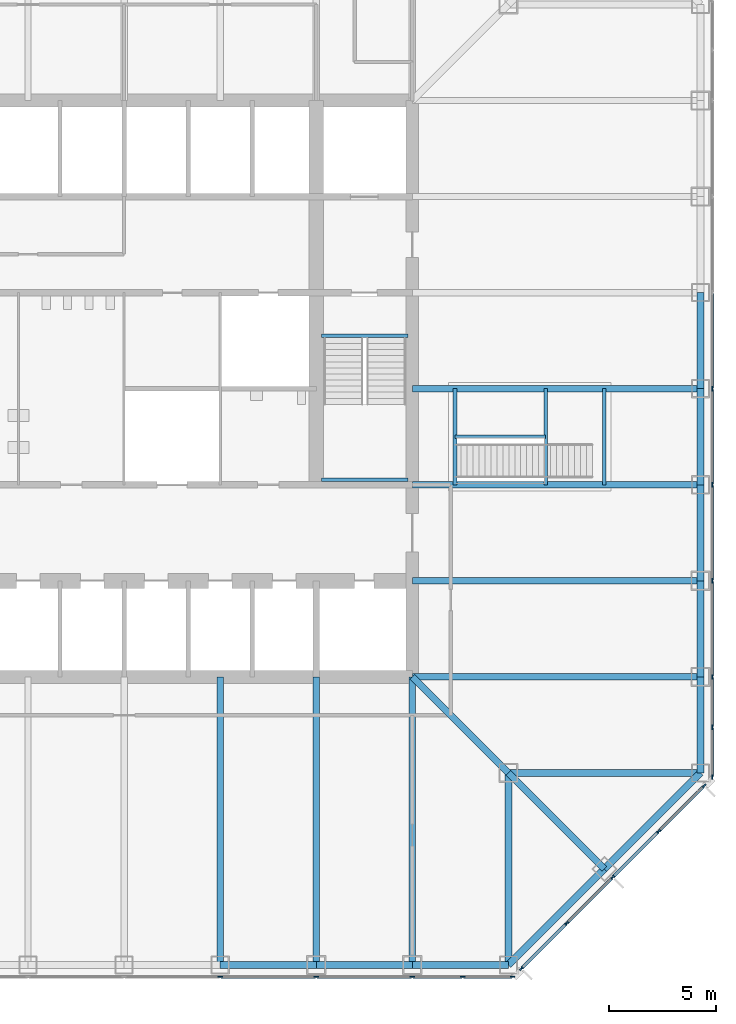
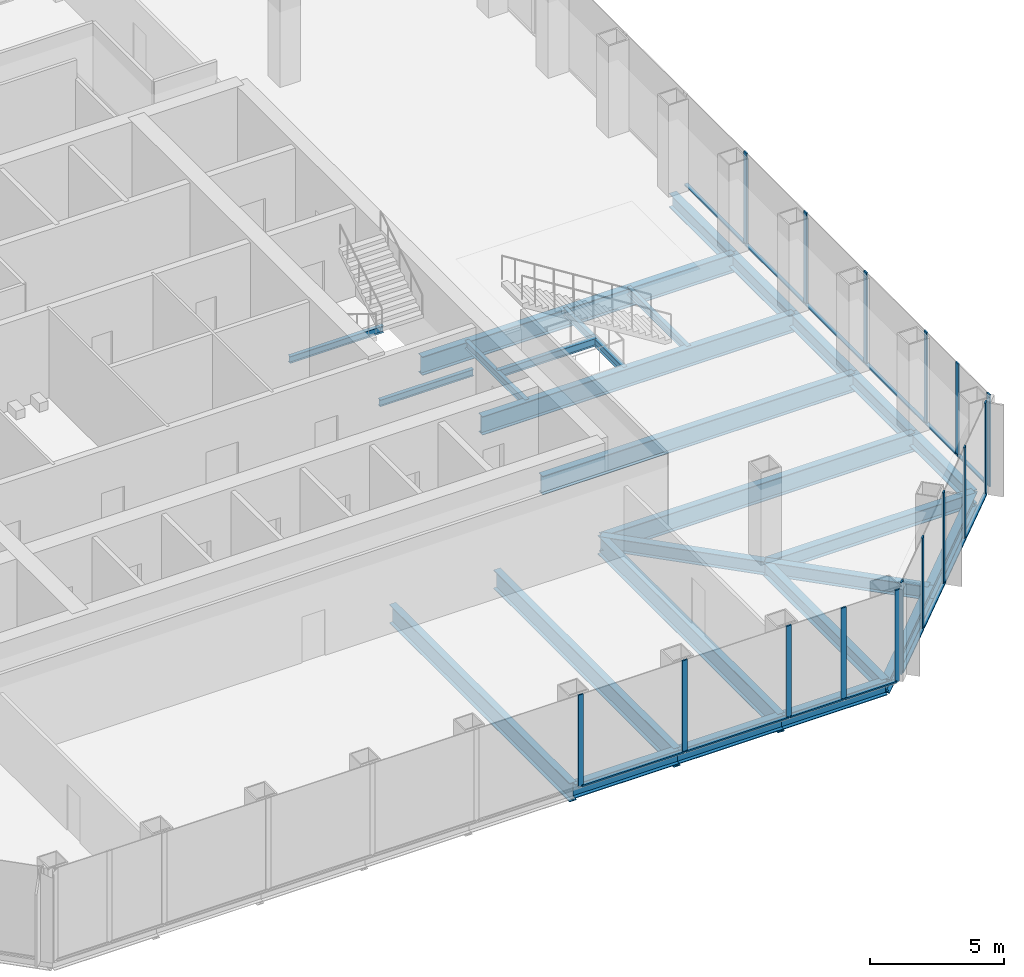
# One storey, part 4 of 12: 30 members, 27 beams, 3 elements without a shape of their own.
"""IFC4 building model written with IfcOpenShell, lengths in metres."""

from ifc_helpers import new_model, si_unit, direction, frame, origin, origin_2d, place, context, subcontext, project, spatial, rectangle, i_section, extrude, material, material_profile, profile_set, type_object, element, aggregate, save


model = new_model("IFC4")

# Units and contexts
model_context = context("Model", 3, precision=1e-05, world=origin(), true_north=direction((0.0, 1.0)))
body_context = subcontext(model_context, "Body", "Model", "MODEL_VIEW")
ifc_project = project(units=[si_unit("LENGTHUNIT", "METRE"), si_unit("AREAUNIT", "SQUARE_METRE"), si_unit("VOLUMEUNIT", "CUBIC_METRE"), si_unit("PLANEANGLEUNIT", "RADIAN"), si_unit("MASSUNIT", "GRAM", prefix="KILO")], contexts=[model_context])

# Site, building, storey
site_placement = place(None, origin())
site = spatial("IfcSite", under=ifc_project, at=site_placement, CompositionType="ELEMENT")
building_placement = place(site_placement, origin())
building = spatial("IfcBuilding", under=site, at=building_placement, Name="Corais Broadcast Tower", CompositionType="ELEMENT")
storey_placement = place(building_placement, frame((0.0, 0.0, 33.199951171875)))
storey = spatial("IfcBuildingStorey", under=building, at=storey_placement, Name="L06", CompositionType="ELEMENT", Elevation=33.199951171875)

# Beams
ifc_material_1 = material(Name="Steel ASTM A572 Grade 50", Category="steel")
ifc_material_profile_1 = material_profile(ifc_material_1, i_section(OverallWidth=0.323974609375, OverallDepth=0.611083984375, WebThickness=0.0126953125, FlangeThickness=0.01904296875, at=origin_2d()), Name="W610x155")
ifc_profile_set_1 = profile_set([ifc_material_profile_1], Name="Steel ASTM A572 Grade 50")
beam_type_1 = type_object("IfcBeamType", Name="Chamfer tie W610x155", PredefinedType="BEAM", material=ifc_profile_set_1)
beam_1_placement = place(storey_placement, frame((49.5, 4.5, -0.46533203125), z_axis=(-0.707106781187, 0.707106781187, 0.0), x_axis=(-0.707106781187, -0.707106781187, 0.0)))
element("IfcBeam", 1, at=beam_1_placement, inside=storey, type_object=beam_type_1, Name="B5 B/14 to C/13", PredefinedType="BEAM", context=body_context, shape_type="SweptSolid", body=[
    extrude(i_section(OverallWidth=0.323974609375, OverallDepth=0.611083984375, WebThickness=0.0126953125, FlangeThickness=0.01904296875, at=origin_2d()), origin(), (0.0, 0.0, 1.0), 6.364013671875),
])
ifc_material_2 = material(Name="Steel ASTM A572 Grade 50", Category="steel")
ifc_material_profile_2 = material_profile(ifc_material_2, i_section(OverallWidth=0.323974609375, OverallDepth=0.611083984375, WebThickness=0.0126953125, FlangeThickness=0.01904296875, at=origin_2d()), Name="W610x155")
ifc_profile_set_2 = profile_set([ifc_material_profile_2], Name="Steel ASTM A572 Grade 50")
beam_type_2 = type_object("IfcBeamType", Name="Corner diagonal W610x155", PredefinedType="BEAM", material=ifc_profile_set_2)
beam_2_placement = place(storey_placement, frame((45.0, 9.0, -0.46533203125), z_axis=(-0.707106781187, 0.707106781187, 0.0), x_axis=(-0.707106781187, -0.707106781187, 0.0)))
element("IfcBeam", 2, at=beam_2_placement, inside=storey, type_object=beam_type_2, Name="B6 C/13 to D/12", PredefinedType="BEAM", context=body_context, shape_type="SweptSolid", body=[
    extrude(i_section(OverallWidth=0.323974609375, OverallDepth=0.611083984375, WebThickness=0.0126953125, FlangeThickness=0.01904296875, at=origin_2d()), origin(), (0.0, 0.0, 1.0), 6.364013671875),
])
ifc_material_3 = material(Name="Steel ASTM A572 Grade 50", Category="steel")
ifc_material_profile_3 = material_profile(ifc_material_3, i_section(OverallWidth=0.323974609375, OverallDepth=0.611083984375, WebThickness=0.0126953125, FlangeThickness=0.01904296875, at=origin_2d()), Name="W610x155")
ifc_profile_set_3 = profile_set([ifc_material_profile_3], Name="Steel ASTM A572 Grade 50")
beam_type_3 = type_object("IfcBeamType", Name="Corner girder W610x155", PredefinedType="BEAM", material=ifc_profile_set_3)
for number, where, z_axis, x_axis, name in (
    (3, (45.0, 0.0, -0.46533203125), (0.0, 1.0, 0.0), (-1.0, 0.0, 0.0), "B4 A/13 to C/13"),
    (4, (54.0, 9.0, -0.46533203125), (-1.0, 0.0, 0.0), (0.0, -1.0, 0.0), "B4 C/15 to C/13"),
):
    element("IfcBeam", number, at=place(storey_placement, frame(where, z_axis=z_axis, x_axis=x_axis)), inside=storey, type_object=beam_type_3, Name=name, PredefinedType="BEAM", context=body_context, shape_type="SweptSolid", body=[
        extrude(i_section(OverallWidth=0.323974609375, OverallDepth=0.611083984375, WebThickness=0.0126953125, FlangeThickness=0.01904296875, at=origin_2d()), origin(), (0.0, 0.0, 1.0), 9.0),
    ])
ifc_material_4 = material(Name="Steel ASTM A572 Grade 50", Category="steel")
ifc_material_profile_4 = material_profile(ifc_material_4, i_section(OverallWidth=0.2939453125, OverallDepth=0.85107421875, WebThickness=0.01611328125, FlangeThickness=0.02685546875, at=origin_2d()), Name="W840x226")
ifc_profile_set_4 = profile_set([ifc_material_profile_4], Name="Steel ASTM A572 Grade 50")
beam_type_4 = type_object("IfcBeamType", Name="Floor beam W840x226", PredefinedType="BEAM", material=ifc_profile_set_4)
for number, where, z_axis, x_axis, name in (
    (5, (31.5, 0.0, -0.58544921875), (0.0, 1.0, 0.0), (-1.0, 0.0, 0.0), "B1 A/10 to D/10"),
    (6, (36.0, 0.0, -0.58544921875), (0.0, 1.0, 0.0), (-1.0, 0.0, 0.0), "B1 A/11 to D/11"),
    (7, (40.5, 0.0, -0.58544921875), (0.0, 1.0, 0.0), (-1.0, 0.0, 0.0), "B1 A/12 to D/12"),
    (8, (54.0, 13.5, -0.58544921875), (-1.0, 0.0, 0.0), (0.0, -1.0, 0.0), "B1 D/15 to D/12"),
    (9, (54.0, 18.0, -0.58544921875), (-1.0, 0.0, 0.0), (0.0, -1.0, 0.0), "B1 E/15 to E/12"),
    (10, (54.0, 22.5, -0.58544921875), (-1.0, 0.0, 0.0), (0.0, -1.0, 0.0), "B1 F/15 to F/12"),
    (11, (54.0, 27.0, -0.58544921875), (-1.0, 0.0, 0.0), (0.0, -1.0, 0.0), "B1 G/15 to G/12"),
):
    element("IfcBeam", number, at=place(storey_placement, frame(where, z_axis=z_axis, x_axis=x_axis)), inside=storey, type_object=beam_type_4, Name=name, PredefinedType="BEAM", context=body_context, shape_type="SweptSolid", body=[
        extrude(i_section(OverallWidth=0.2939453125, OverallDepth=0.85107421875, WebThickness=0.01611328125, FlangeThickness=0.02685546875, at=origin_2d()), origin(), (0.0, 0.0, 1.0), 13.5),
    ])
ifc_material_5 = material(Name="Steel ASTM A572 Grade 50", Category="steel")
ifc_material_profile_5 = material_profile(ifc_material_5, i_section(OverallWidth=0.1650390625, OverallDepth=0.31005859375, WebThickness=0.005859375, FlangeThickness=0.009765625, at=origin_2d()), Name="W310x38.7")
ifc_profile_set_5 = profile_set([ifc_material_profile_5], Name="Steel ASTM A572 Grade 50")
beam_type_5 = type_object("IfcBeamType", Name="Landing trimmer W310x38.7", PredefinedType="BEAM", material=ifc_profile_set_5)
for number, where, z_axis, x_axis, name in (
    (12, (36.25, 29.47509765625, -0.35498046875), (1.0, 0.0, 0.0), (0.0, 1.0, 0.0), "LT1 stair B landing trimmer L06"),
    (13, (36.25, 22.739990234375, 1.7451171875), (1.0, 0.0, 0.0), (0.0, 1.0, 0.0), "LT1 stair B half landing trimmer L06"),
):
    element("IfcBeam", number, at=place(storey_placement, frame(where, z_axis=z_axis, x_axis=x_axis)), inside=storey, type_object=beam_type_5, Name=name, PredefinedType="BEAM", context=body_context, shape_type="SweptSolid", body=[
        extrude(i_section(OverallWidth=0.1650390625, OverallDepth=0.31005859375, WebThickness=0.005859375, FlangeThickness=0.009765625, at=origin_2d()), origin(), (0.0, 0.0, 1.0), 4.050048828125),
    ])

# Curtain wall, members
ifc_material_6 = material(Name="Aluminium and glass", Category="aluminium")
curtain_wall_type = type_object("IfcCurtainWallType", Name="Newsroom clear-glass curtain wall CW7", PredefinedType="NOTDEFINED", material=ifc_material_6)
curtain_wall_1_placement = place(storey_placement, origin())
curtain_wall_1 = element("IfcCurtainWall", 14, at=curtain_wall_1_placement, inside=storey, type_object=curtain_wall_type, Name="CW7 curtain wall L06 6", PredefinedType="NOTDEFINED")
ifc_material_7 = material(Name="Aluminium 6063-T6", Category="aluminium")
ifc_material_profile_6 = material_profile(ifc_material_7, rectangle(XDim=0.06494140625, YDim=0.219970703125, at=origin_2d()), Name="Mullion CW7 65x220")
ifc_profile_set_6 = profile_set([ifc_material_profile_6], Name="Aluminium 6063-T6")
member_type_1 = type_object("IfcMemberType", Name="Mullion CW7 65x220", PredefinedType="MULLION", material=ifc_profile_set_6)
member_1_placement = place(storey_placement, frame((54.550048828125, 27.0, 0.0), z_axis=(0.0, 0.0, 1.0), x_axis=(1.0, 0.0, 0.0)))
member_1 = element("IfcMember", 15, at=member_1_placement, type_object=member_type_1, Name="CW7 mullion 6", PredefinedType="MULLION", context=body_context, shape_type="SweptSolid", body=[
    extrude(rectangle(XDim=0.06494140625, YDim=0.219970703125, at=origin_2d()), origin(), (0.0, 0.0, 1.0), 4.199951171875),
])
member_2_placement = place(storey_placement, frame((54.550048828125, 22.5, 0.0), z_axis=(0.0, 0.0, 1.0), x_axis=(1.0, 0.0, 0.0)))
member_2 = element("IfcMember", 16, at=member_2_placement, type_object=member_type_1, Name="CW7 mullion 7", PredefinedType="MULLION", context=body_context, shape_type="SweptSolid", body=[
    extrude(rectangle(XDim=0.06494140625, YDim=0.219970703125, at=origin_2d()), origin(), (0.0, 0.0, 1.0), 4.199951171875),
])
member_3_placement = place(storey_placement, frame((54.550048828125, 18.0, 0.0), z_axis=(0.0, 0.0, 1.0), x_axis=(1.0, 0.0, 0.0)))
member_3 = element("IfcMember", 17, at=member_3_placement, type_object=member_type_1, Name="CW7 mullion 8", PredefinedType="MULLION", context=body_context, shape_type="SweptSolid", body=[
    extrude(rectangle(XDim=0.06494140625, YDim=0.219970703125, at=origin_2d()), origin(), (0.0, 0.0, 1.0), 4.199951171875),
])
member_4_placement = place(storey_placement, frame((54.550048828125, 13.5, 0.0), z_axis=(0.0, 0.0, 1.0), x_axis=(1.0, 0.0, 0.0)))
member_4 = element("IfcMember", 18, at=member_4_placement, type_object=member_type_1, Name="CW7 mullion 9", PredefinedType="MULLION", context=body_context, shape_type="SweptSolid", body=[
    extrude(rectangle(XDim=0.06494140625, YDim=0.219970703125, at=origin_2d()), origin(), (0.0, 0.0, 1.0), 4.199951171875),
])
member_5_placement = place(storey_placement, frame((54.550048828125, 11.135986328125, 0.0), z_axis=(0.0, 0.0, 1.0), x_axis=(1.0, 0.0, 0.0)))
member_5 = element("IfcMember", 19, at=member_5_placement, type_object=member_type_1, Name="CW7 mullion 10", PredefinedType="MULLION", context=body_context, shape_type="SweptSolid", body=[
    extrude(rectangle(XDim=0.06494140625, YDim=0.219970703125, at=origin_2d()), origin(), (0.0, 0.0, 1.0), 4.199951171875),
])
member_6_placement = place(storey_placement, frame((54.550048828125, 8.8046875, 0.0), z_axis=(0.0, 0.0, 1.0), x_axis=(1.0, 0.0, 0.0)))
member_6 = element("IfcMember", 20, at=member_6_placement, type_object=member_type_1, Name="CW7 mullion 11", PredefinedType="MULLION", context=body_context, shape_type="SweptSolid", body=[
    extrude(rectangle(XDim=0.06494140625, YDim=0.219970703125, at=origin_2d()), origin(), (0.0, 0.0, 1.0), 4.199951171875),
])

curtain_wall_2_placement = place(storey_placement, origin())
curtain_wall_2 = element("IfcCurtainWall", 21, at=curtain_wall_2_placement, inside=storey, type_object=curtain_wall_type, Name="CW7 curtain wall L06 7", PredefinedType="NOTDEFINED")
member_7_placement = place(storey_placement, frame((54.17333984375, 8.3955078125, 0.0), z_axis=(0.0, 0.0, 1.0), x_axis=(0.707106781187, -0.707106781187, 0.0)))
member_7 = element("IfcMember", 22, at=member_7_placement, type_object=member_type_1, Name="CW7 mullion 1", PredefinedType="MULLION", context=body_context, shape_type="SweptSolid", body=[
    extrude(rectangle(XDim=0.06494140625, YDim=0.219970703125, at=origin_2d()), origin(), (0.0, 0.0, 1.0), 4.199951171875),
])
member_8_placement = place(storey_placement, frame((52.042724609375, 6.264892578125, 0.0), z_axis=(0.0, 0.0, 1.0), x_axis=(0.707106781187, -0.707106781187, 0.0)))
member_8 = element("IfcMember", 23, at=member_8_placement, type_object=member_type_1, Name="CW7 mullion 2", PredefinedType="MULLION", context=body_context, shape_type="SweptSolid", body=[
    extrude(rectangle(XDim=0.06494140625, YDim=0.219970703125, at=origin_2d()), origin(), (0.0, 0.0, 1.0), 4.199951171875),
])
member_9_placement = place(storey_placement, frame((49.888916015625, 4.111083984375, 0.0), z_axis=(0.0, 0.0, 1.0), x_axis=(0.707106781187, -0.707106781187, 0.0)))
member_9 = element("IfcMember", 24, at=member_9_placement, type_object=member_type_1, Name="CW7 mullion 3", PredefinedType="MULLION", context=body_context, shape_type="SweptSolid", body=[
    extrude(rectangle(XDim=0.06494140625, YDim=0.219970703125, at=origin_2d()), origin(), (0.0, 0.0, 1.0), 4.199951171875),
])
member_10_placement = place(storey_placement, frame((47.735107421875, 1.957275390625, 0.0), z_axis=(0.0, 0.0, 1.0), x_axis=(0.707106781187, -0.707106781187, 0.0)))
member_10 = element("IfcMember", 25, at=member_10_placement, type_object=member_type_1, Name="CW7 mullion 4", PredefinedType="MULLION", context=body_context, shape_type="SweptSolid", body=[
    extrude(rectangle(XDim=0.06494140625, YDim=0.219970703125, at=origin_2d()), origin(), (0.0, 0.0, 1.0), 4.199951171875),
])
member_11_placement = place(storey_placement, frame((45.6044921875, -0.17333984375, 0.0), z_axis=(0.0, 0.0, 1.0), x_axis=(0.707106781187, -0.707106781187, 0.0)))
member_11 = element("IfcMember", 26, at=member_11_placement, type_object=member_type_1, Name="CW7 mullion 5", PredefinedType="MULLION", context=body_context, shape_type="SweptSolid", body=[
    extrude(rectangle(XDim=0.06494140625, YDim=0.219970703125, at=origin_2d()), origin(), (0.0, 0.0, 1.0), 4.199951171875),
])

curtain_wall_3_placement = place(storey_placement, origin())
curtain_wall_3 = element("IfcCurtainWall", 27, at=curtain_wall_3_placement, inside=storey, type_object=curtain_wall_type, Name="CW7 curtain wall L06 8", PredefinedType="NOTDEFINED")
member_12_placement = place(storey_placement, frame((45.1953125, -0.550048828125, 0.0), z_axis=(0.0, 0.0, 1.0), x_axis=(0.0, -1.0, 0.0)))
member_12 = element("IfcMember", 28, at=member_12_placement, type_object=member_type_1, Name="CW7 mullion 1", PredefinedType="MULLION", context=body_context, shape_type="SweptSolid", body=[
    extrude(rectangle(XDim=0.06494140625, YDim=0.219970703125, at=origin_2d()), origin(), (0.0, 0.0, 1.0), 4.199951171875),
])
member_13_placement = place(storey_placement, frame((42.864013671875, -0.550048828125, 0.0), z_axis=(0.0, 0.0, 1.0), x_axis=(0.0, -1.0, 0.0)))
member_13 = element("IfcMember", 29, at=member_13_placement, type_object=member_type_1, Name="CW7 mullion 2", PredefinedType="MULLION", context=body_context, shape_type="SweptSolid", body=[
    extrude(rectangle(XDim=0.06494140625, YDim=0.219970703125, at=origin_2d()), origin(), (0.0, 0.0, 1.0), 4.199951171875),
])
member_14_placement = place(storey_placement, frame((40.5, -0.550048828125, 0.0), z_axis=(0.0, 0.0, 1.0), x_axis=(0.0, -1.0, 0.0)))
member_14 = element("IfcMember", 30, at=member_14_placement, type_object=member_type_1, Name="CW7 mullion 3", PredefinedType="MULLION", context=body_context, shape_type="SweptSolid", body=[
    extrude(rectangle(XDim=0.06494140625, YDim=0.219970703125, at=origin_2d()), origin(), (0.0, 0.0, 1.0), 4.199951171875),
])
member_15_placement = place(storey_placement, frame((36.0, -0.550048828125, 0.0), z_axis=(0.0, 0.0, 1.0), x_axis=(0.0, -1.0, 0.0)))
member_15 = element("IfcMember", 31, at=member_15_placement, type_object=member_type_1, Name="CW7 mullion 4", PredefinedType="MULLION", context=body_context, shape_type="SweptSolid", body=[
    extrude(rectangle(XDim=0.06494140625, YDim=0.219970703125, at=origin_2d()), origin(), (0.0, 0.0, 1.0), 4.199951171875),
])
member_16_placement = place(storey_placement, frame((31.5, -0.550048828125, 0.0), z_axis=(0.0, 0.0, 1.0), x_axis=(0.0, -1.0, 0.0)))
member_16 = element("IfcMember", 32, at=member_16_placement, type_object=member_type_1, Name="CW7 mullion 5", PredefinedType="MULLION", context=body_context, shape_type="SweptSolid", body=[
    extrude(rectangle(XDim=0.06494140625, YDim=0.219970703125, at=origin_2d()), origin(), (0.0, 0.0, 1.0), 4.199951171875),
])

# Beams
ifc_material_8 = material(Name="Steel ASTM A572 Grade 50", Category="steel")
ifc_material_profile_7 = material_profile(ifc_material_8, i_section(OverallWidth=0.3291015625, OverallDepth=0.635009765625, WebThickness=0.017822265625, FlangeThickness=0.031005859375, at=origin_2d()), Name="W610x241")
ifc_profile_set_7 = profile_set([ifc_material_profile_7], Name="Steel ASTM A572 Grade 50")
beam_type_6 = type_object("IfcBeamType", Name="Spandrel W610x241", PredefinedType="BEAM", material=ifc_profile_set_7)
for number, where, z_axis, x_axis, name in (
    (33, (31.5, 0.0, -0.4775390625), (1.0, 0.0, 0.0), (0.0, 1.0, 0.0), "SB1 A/10 to A/11"),
    (34, (36.0, 0.0, -0.4775390625), (1.0, 0.0, 0.0), (0.0, 1.0, 0.0), "SB1 A/11 to A/12"),
    (35, (40.5, 0.0, -0.4775390625), (1.0, 0.0, 0.0), (0.0, 1.0, 0.0), "SB1 A/12 to A/13"),
):
    element("IfcBeam", number, at=place(storey_placement, frame(where, z_axis=z_axis, x_axis=x_axis)), inside=storey, type_object=beam_type_6, Name=name, PredefinedType="BEAM", context=body_context, shape_type="SweptSolid", body=[
        extrude(i_section(OverallWidth=0.3291015625, OverallDepth=0.635009765625, WebThickness=0.017822265625, FlangeThickness=0.031005859375, at=origin_2d()), origin(), (0.0, 0.0, 1.0), 4.5),
    ])
for number, where, z_axis, x_axis, name in (
    (36, (45.0, 0.0, -0.4775390625), (0.707106781187, 0.707106781187, 0.0), (-0.707106781187, 0.707106781187, 0.0), "SB1 A/13 to B/14"),
    (37, (49.5, 4.5, -0.4775390625), (0.707106781187, 0.707106781187, 0.0), (-0.707106781187, 0.707106781187, 0.0), "SB1 B/14 to C/15"),
):
    element("IfcBeam", number, at=place(storey_placement, frame(where, z_axis=z_axis, x_axis=x_axis)), inside=storey, type_object=beam_type_6, Name=name, PredefinedType="BEAM", context=body_context, shape_type="SweptSolid", body=[
        extrude(i_section(OverallWidth=0.3291015625, OverallDepth=0.635009765625, WebThickness=0.017822265625, FlangeThickness=0.031005859375, at=origin_2d()), origin(), (0.0, 0.0, 1.0), 6.364013671875),
    ])
for number, where, z_axis, x_axis, name in (
    (38, (54.0, 13.5, -0.4775390625), (0.0, 1.0, 0.0), (-1.0, 0.0, 0.0), "SB1 D/15 to E/15"),
    (39, (54.0, 18.0, -0.4775390625), (0.0, 1.0, 0.0), (-1.0, 0.0, 0.0), "SB1 E/15 to F/15"),
    (40, (54.0, 22.5, -0.4775390625), (0.0, 1.0, 0.0), (-1.0, 0.0, 0.0), "SB1 F/15 to G/15"),
    (41, (54.0, 27.0, -0.4775390625), (0.0, 1.0, 0.0), (-1.0, 0.0, 0.0), "SB1 G/15 to H/15"),
    (42, (54.0, 9.0, -0.4775390625), (0.0, 1.0, 0.0), (-1.0, 0.0, 0.0), "SB1 C/15 to D/15"),
):
    element("IfcBeam", number, at=place(storey_placement, frame(where, z_axis=z_axis, x_axis=x_axis)), inside=storey, type_object=beam_type_6, Name=name, PredefinedType="BEAM", context=body_context, shape_type="SweptSolid", body=[
        extrude(i_section(OverallWidth=0.3291015625, OverallDepth=0.635009765625, WebThickness=0.017822265625, FlangeThickness=0.031005859375, at=origin_2d()), origin(), (0.0, 0.0, 1.0), 4.5),
    ])

# Member
ifc_material_9 = material(Name="Aluminium 6063-T6", Category="aluminium")
ifc_material_profile_8 = material_profile(ifc_material_9, rectangle(XDim=0.14990234375, YDim=0.06494140625, at=origin_2d()), Name="Transom CW7 65x150")
ifc_profile_set_8 = profile_set([ifc_material_profile_8], Name="Aluminium 6063-T6")
member_type_2 = type_object("IfcMemberType", Name="Transom CW7 65x150", PredefinedType="USERDEFINED", material=ifc_profile_set_8)
member_17_placement = place(storey_placement, frame((54.550048828125, 31.467529296875, 0.032470703125), z_axis=(0.0, -1.0, 0.0), x_axis=(1.0, 0.0, 0.0)))
member_17 = element("IfcMember", 43, at=member_17_placement, type_object=member_type_2, Name="CW7 transom 5.1", ObjectType="TRANSOM", PredefinedType="USERDEFINED", context=body_context, shape_type="SweptSolid", body=[
    extrude(rectangle(XDim=0.14990234375, YDim=0.06494140625, at=origin_2d()), origin(), (0.0, 0.0, 1.0), 4.43505859375),
])

member_18_placement = place(storey_placement, frame((54.550048828125, 26.967529296875, 0.032470703125), z_axis=(0.0, -1.0, 0.0), x_axis=(1.0, 0.0, 0.0)))
member_18 = element("IfcMember", 44, at=member_18_placement, type_object=member_type_2, Name="CW7 transom 6.1", ObjectType="TRANSOM", PredefinedType="USERDEFINED", context=body_context, shape_type="SweptSolid", body=[
    extrude(rectangle(XDim=0.14990234375, YDim=0.06494140625, at=origin_2d()), origin(), (0.0, 0.0, 1.0), 4.43505859375),
])

member_19_placement = place(storey_placement, frame((54.550048828125, 22.467529296875, 0.032470703125), z_axis=(0.0, -1.0, 0.0), x_axis=(1.0, 0.0, 0.0)))
member_19 = element("IfcMember", 45, at=member_19_placement, type_object=member_type_2, Name="CW7 transom 7.1", ObjectType="TRANSOM", PredefinedType="USERDEFINED", context=body_context, shape_type="SweptSolid", body=[
    extrude(rectangle(XDim=0.14990234375, YDim=0.06494140625, at=origin_2d()), origin(), (0.0, 0.0, 1.0), 4.43505859375),
])

member_20_placement = place(storey_placement, frame((54.550048828125, 17.967529296875, 0.032470703125), z_axis=(0.0, -1.0, 0.0), x_axis=(1.0, 0.0, 0.0)))
member_20 = element("IfcMember", 46, at=member_20_placement, type_object=member_type_2, Name="CW7 transom 8.1", ObjectType="TRANSOM", PredefinedType="USERDEFINED", context=body_context, shape_type="SweptSolid", body=[
    extrude(rectangle(XDim=0.14990234375, YDim=0.06494140625, at=origin_2d()), origin(), (0.0, 0.0, 1.0), 4.43505859375),
])

member_21_placement = place(storey_placement, frame((54.550048828125, 13.467529296875, 0.032470703125), z_axis=(0.0, -1.0, 0.0), x_axis=(1.0, 0.0, 0.0)))
member_21 = element("IfcMember", 47, at=member_21_placement, type_object=member_type_2, Name="CW7 transom 9.1", ObjectType="TRANSOM", PredefinedType="USERDEFINED", context=body_context, shape_type="SweptSolid", body=[
    extrude(rectangle(XDim=0.14990234375, YDim=0.06494140625, at=origin_2d()), origin(), (0.0, 0.0, 1.0), 2.298828125),
])

member_22_placement = place(storey_placement, frame((54.550048828125, 11.103515625, 0.032470703125), z_axis=(0.0, -1.0, 0.0), x_axis=(1.0, 0.0, 0.0)))
member_22 = element("IfcMember", 48, at=member_22_placement, type_object=member_type_2, Name="CW7 transom 10.1", ObjectType="TRANSOM", PredefinedType="USERDEFINED", context=body_context, shape_type="SweptSolid", body=[
    extrude(rectangle(XDim=0.14990234375, YDim=0.06494140625, at=origin_2d()), origin(), (0.0, 0.0, 1.0), 2.266357421875),
])

aggregate(curtain_wall_1, [member_1, member_2, member_3, member_4, member_5, member_6, member_17, member_18, member_19, member_20, member_21, member_22])

member_23_placement = place(storey_placement, frame((54.150390625, 8.37255859375, 0.032470703125), z_axis=(-0.707106781187, -0.707106781187, 0.0), x_axis=(0.707106781187, -0.707106781187, 0.0)))
member_23 = element("IfcMember", 49, at=member_23_placement, type_object=member_type_2, Name="CW7 transom 1.1", ObjectType="TRANSOM", PredefinedType="USERDEFINED", context=body_context, shape_type="SweptSolid", body=[
    extrude(rectangle(XDim=0.14990234375, YDim=0.06494140625, at=origin_2d()), origin(), (0.0, 0.0, 1.0), 2.9482421875),
])

member_24_placement = place(storey_placement, frame((52.019775390625, 6.241943359375, 0.032470703125), z_axis=(-0.707106781187, -0.707106781187, 0.0), x_axis=(0.707106781187, -0.707106781187, 0.0)))
member_24 = element("IfcMember", 50, at=member_24_placement, type_object=member_type_2, Name="CW7 transom 2.1", ObjectType="TRANSOM", PredefinedType="USERDEFINED", context=body_context, shape_type="SweptSolid", body=[
    extrude(rectangle(XDim=0.14990234375, YDim=0.06494140625, at=origin_2d()), origin(), (0.0, 0.0, 1.0), 2.98095703125),
])

member_25_placement = place(storey_placement, frame((49.865966796875, 4.088134765625, 0.032470703125), z_axis=(-0.707106781187, -0.707106781187, 0.0), x_axis=(0.707106781187, -0.707106781187, 0.0)))
member_25 = element("IfcMember", 51, at=member_25_placement, type_object=member_type_2, Name="CW7 transom 3.1", ObjectType="TRANSOM", PredefinedType="USERDEFINED", context=body_context, shape_type="SweptSolid", body=[
    extrude(rectangle(XDim=0.14990234375, YDim=0.06494140625, at=origin_2d()), origin(), (0.0, 0.0, 1.0), 2.98095703125),
])

member_26_placement = place(storey_placement, frame((47.712158203125, 1.934326171875, 0.032470703125), z_axis=(-0.707106781187, -0.707106781187, 0.0), x_axis=(0.707106781187, -0.707106781187, 0.0)))
member_26 = element("IfcMember", 52, at=member_26_placement, type_object=member_type_2, Name="CW7 transom 4.1", ObjectType="TRANSOM", PredefinedType="USERDEFINED", context=body_context, shape_type="SweptSolid", body=[
    extrude(rectangle(XDim=0.14990234375, YDim=0.06494140625, at=origin_2d()), origin(), (0.0, 0.0, 1.0), 2.9482421875),
])

aggregate(curtain_wall_2, [member_7, member_8, member_9, member_10, member_11, member_23, member_24, member_25, member_26])

member_27_placement = place(storey_placement, frame((45.162841796875, -0.550048828125, 0.032470703125), z_axis=(-1.0, 0.0, 0.0), x_axis=(0.0, -1.0, 0.0)))
member_27 = element("IfcMember", 53, at=member_27_placement, type_object=member_type_2, Name="CW7 transom 1.1", ObjectType="TRANSOM", PredefinedType="USERDEFINED", context=body_context, shape_type="SweptSolid", body=[
    extrude(rectangle(XDim=0.14990234375, YDim=0.06494140625, at=origin_2d()), origin(), (0.0, 0.0, 1.0), 2.266357421875),
])

member_28_placement = place(storey_placement, frame((42.831298828125, -0.550048828125, 0.032470703125), z_axis=(-1.0, 0.0, 0.0), x_axis=(0.0, -1.0, 0.0)))
member_28 = element("IfcMember", 54, at=member_28_placement, type_object=member_type_2, Name="CW7 transom 2.1", ObjectType="TRANSOM", PredefinedType="USERDEFINED", context=body_context, shape_type="SweptSolid", body=[
    extrude(rectangle(XDim=0.14990234375, YDim=0.06494140625, at=origin_2d()), origin(), (0.0, 0.0, 1.0), 2.298828125),
])

member_29_placement = place(storey_placement, frame((40.467529296875, -0.550048828125, 0.032470703125), z_axis=(-1.0, 0.0, 0.0), x_axis=(0.0, -1.0, 0.0)))
member_29 = element("IfcMember", 55, at=member_29_placement, type_object=member_type_2, Name="CW7 transom 3.1", ObjectType="TRANSOM", PredefinedType="USERDEFINED", context=body_context, shape_type="SweptSolid", body=[
    extrude(rectangle(XDim=0.14990234375, YDim=0.06494140625, at=origin_2d()), origin(), (0.0, 0.0, 1.0), 4.43505859375),
])

member_30_placement = place(storey_placement, frame((35.967529296875, -0.550048828125, 0.032470703125), z_axis=(-1.0, 0.0, 0.0), x_axis=(0.0, -1.0, 0.0)))
member_30 = element("IfcMember", 56, at=member_30_placement, type_object=member_type_2, Name="CW7 transom 4.1", ObjectType="TRANSOM", PredefinedType="USERDEFINED", context=body_context, shape_type="SweptSolid", body=[
    extrude(rectangle(XDim=0.14990234375, YDim=0.06494140625, at=origin_2d()), origin(), (0.0, 0.0, 1.0), 4.43505859375),
])

aggregate(curtain_wall_3, [member_12, member_13, member_14, member_15, member_16, member_27, member_28, member_29, member_30])

# Beams
ifc_material_10 = material(Name="Steel ASTM A572 Grade 50", Category="steel")
ifc_material_profile_9 = material_profile(ifc_material_10, i_section(OverallWidth=0.1708984375, OverallDepth=0.35205078125, WebThickness=0.0068359375, FlangeThickness=0.009765625, at=origin_2d()), Name="W360x44")
ifc_profile_set_9 = profile_set([ifc_material_profile_9], Name="Steel ASTM A572 Grade 50")
beam_type_7 = type_object("IfcBeamType", Name="Trimmer W360x44", PredefinedType="BEAM", material=ifc_profile_set_9)
beam_3_placement = place(storey_placement, frame((42.5, 22.5, -0.3359375), z_axis=(0.0, 1.0, 0.0), x_axis=(-1.0, 0.0, 0.0)))
element("IfcBeam", 57, at=beam_3_placement, inside=storey, type_object=beam_type_7, Name="B9 F/12 +2000 +0 to G/12 +2000 +0", PredefinedType="BEAM", context=body_context, shape_type="SweptSolid", body=[
    extrude(i_section(OverallWidth=0.1708984375, OverallDepth=0.35205078125, WebThickness=0.0068359375, FlangeThickness=0.009765625, at=origin_2d()), origin(), (0.0, 0.0, 1.0), 4.5),
])
beam_4_placement = place(storey_placement, frame((42.5, 24.75, -0.3359375), z_axis=(1.0, 0.0, 0.0), x_axis=(0.0, 1.0, 0.0)))
element("IfcBeam", 58, at=beam_4_placement, inside=storey, type_object=beam_type_7, Name="B9 F/12 +2000 +2250 to F/13 +1750 +2250", PredefinedType="BEAM", context=body_context, shape_type="SweptSolid", body=[
    extrude(i_section(OverallWidth=0.1708984375, OverallDepth=0.35205078125, WebThickness=0.0068359375, FlangeThickness=0.009765625, at=origin_2d()), origin(), (0.0, 0.0, 1.0), 4.25),
])
for number, where, z_axis, x_axis, name in (
    (59, (46.75, 22.5, -0.3359375), (0.0, 1.0, 0.0), (-1.0, 0.0, 0.0), "B9 F/13 +1750 +0 to G/13 +1750 +0"),
    (60, (49.5, 22.5, -0.3359375), (0.0, 1.0, 0.0), (-1.0, 0.0, 0.0), "B9 F/14 to G/14"),
):
    element("IfcBeam", number, at=place(storey_placement, frame(where, z_axis=z_axis, x_axis=x_axis)), inside=storey, type_object=beam_type_7, Name=name, PredefinedType="BEAM", context=body_context, shape_type="SweptSolid", body=[
        extrude(i_section(OverallWidth=0.1708984375, OverallDepth=0.35205078125, WebThickness=0.0068359375, FlangeThickness=0.009765625, at=origin_2d()), origin(), (0.0, 0.0, 1.0), 4.5),
    ])

save(model, "model.ifc")
